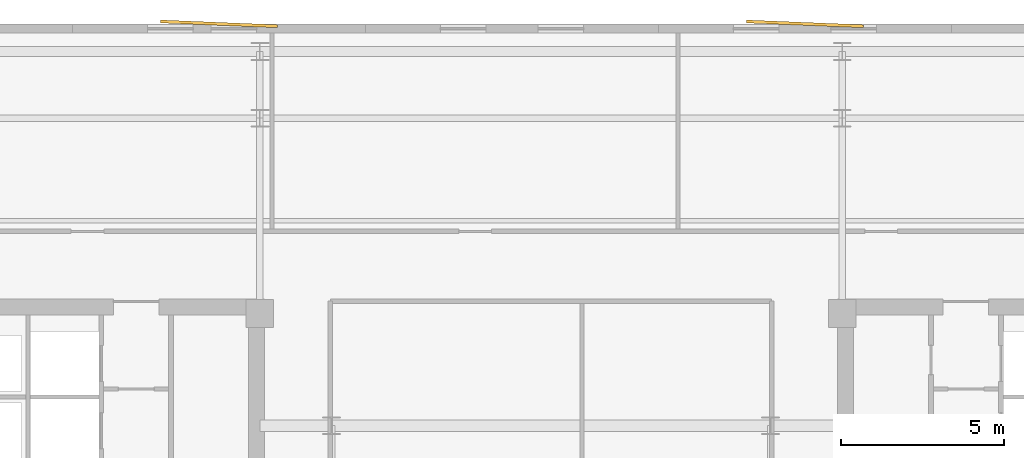
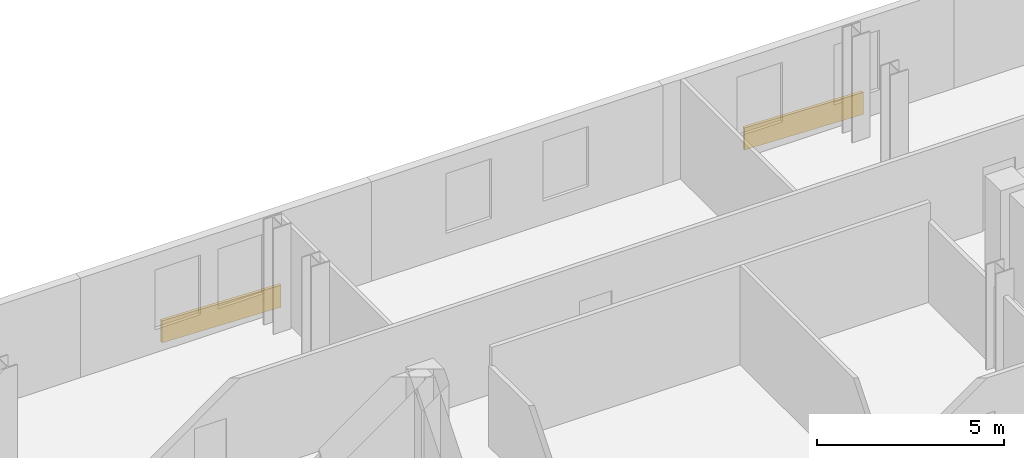
# One storey, part 9 of 9: 2 coverings.
"""IFC4 building model written with IfcOpenShell, lengths in metres."""

from ifc_helpers import new_model, si_unit, direction, frame, origin, origin_2d, place, context, subcontext, project, spatial, rectangle, extrude, material, layer, layer_set, type_object, element, save


model = new_model("IFC4")

# Units and contexts
model_context = context("Model", 3, precision=1e-05, world=origin(), true_north=direction((0.0, 1.0)))
body_context = subcontext(model_context, "Body", "Model", "MODEL_VIEW")
ifc_project = project(units=[si_unit("LENGTHUNIT", "METRE"), si_unit("AREAUNIT", "SQUARE_METRE"), si_unit("VOLUMEUNIT", "CUBIC_METRE"), si_unit("PLANEANGLEUNIT", "RADIAN"), si_unit("MASSUNIT", "GRAM", prefix="KILO")], contexts=[model_context])

# Site, building, storey
site_placement = place(None, origin())
site = spatial("IfcSite", under=ifc_project, at=site_placement, CompositionType="ELEMENT")
building_placement = place(site_placement, origin())
building = spatial("IfcBuilding", under=site, at=building_placement, Name="Velakula Bourse", CompositionType="ELEMENT")
storey_placement = place(building_placement, frame((0.0, 0.0, 222.300048828125)))
storey = spatial("IfcBuildingStorey", under=building, at=storey_placement, Name="L60", CompositionType="ELEMENT", Elevation=222.300048828125)

# Coverings
ifc_material = material(Name="Red kilned clay facing brick masonry", Category="masonry")
ifc_layer = layer(ifc_material, 0.090087890625, Name="Red kilned clay facing brick masonry", Category="masonry")
ifc_layer_set = layer_set([ifc_layer], Name="Red kilned clay facing brick masonry")
covering_type = type_object("IfcCoveringType", Name="COV-BRK-FOLD-90", PredefinedType="CLADDING", material=ifc_layer_set)
for number, where, z_axis, x_axis, name in (
    (1, (-10.199951171875, 17.5, 0.0), (0.0, 0.0, 1.0), (0.999158993058, -0.041003738744, 0.0), "L60 Folded Brick Facade Cladding Panel N-B2"),
    (2, (7.800048828125, 17.5, 0.0), (0.0, 0.0, 1.0), (0.999158993058, -0.041003738744, 0.0), "L60 Folded Brick Facade Cladding Panel N-B4"),
):
    element("IfcCovering", number, at=place(storey_placement, frame(where, z_axis=z_axis, x_axis=x_axis)), inside=storey, type_object=covering_type, Name=name, PredefinedType="CLADDING", context=body_context, shape_type="SweptSolid", body=[
        extrude(rectangle(XDim=3.60009765625, YDim=0.090087890625, at=origin_2d()), origin(), (0.0, 0.0, 1.0), 0.719970703125),
    ])

save(model, "model.ifc")
